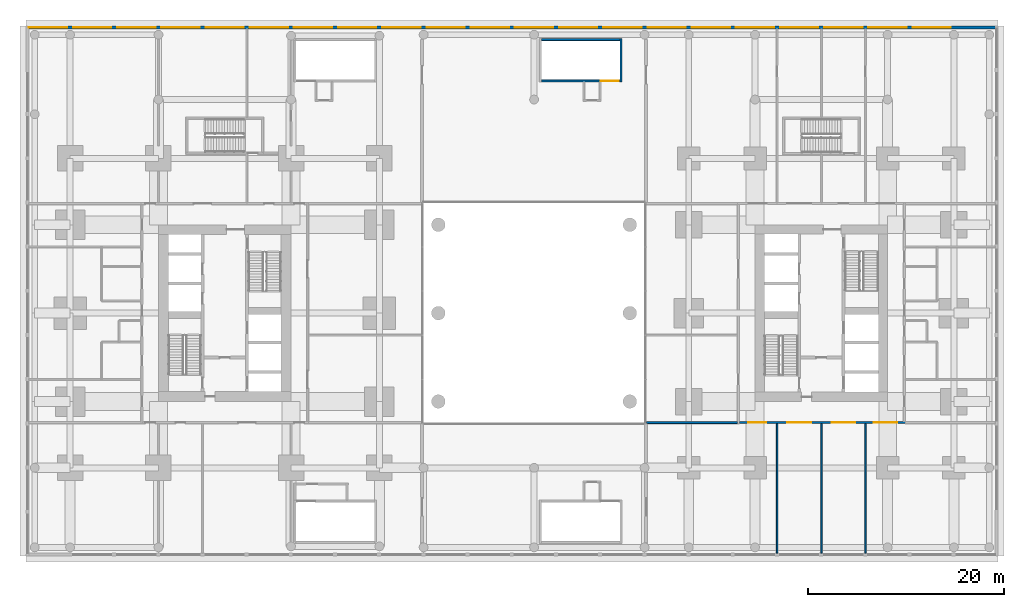
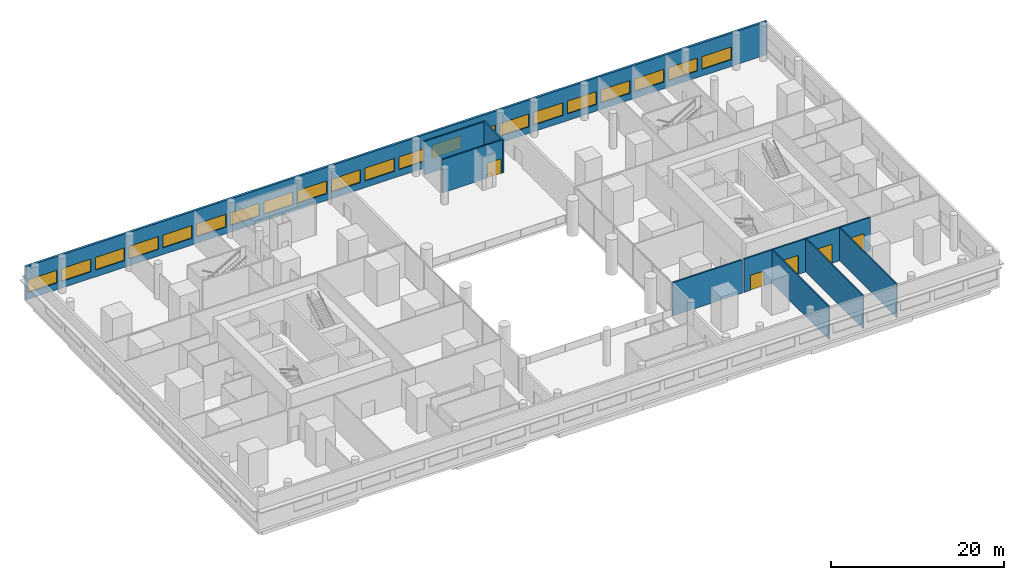
# One storey, part 14 of 20: 21 windows, 9 walls, 5 doors, 26 openings.
"""IFC4 building model written with IfcOpenShell, lengths in metres."""

from ifc_helpers import new_model, si_unit, direction, frame, frame_2d, origin, place, context, subcontext, project, spatial, rectangle, extrude, material, layer, layer_set, type_object, element, fill, save


model = new_model("IFC4")

# Units and contexts
model_context = context("Model", 3, precision=1e-05, world=origin(), true_north=direction((0.0, 1.0)))
body_context = subcontext(model_context, "Body", "Model", "MODEL_VIEW")
ifc_project = project(units=[si_unit("LENGTHUNIT", "METRE"), si_unit("AREAUNIT", "SQUARE_METRE"), si_unit("VOLUMEUNIT", "CUBIC_METRE"), si_unit("PLANEANGLEUNIT", "RADIAN"), si_unit("MASSUNIT", "GRAM", prefix="KILO")], contexts=[model_context])

# Site, building, storey
site_placement = place(None, origin())
site = spatial("IfcSite", under=ifc_project, at=site_placement, CompositionType="ELEMENT")
building_placement = place(site_placement, origin())
building = spatial("IfcBuilding", under=site, at=building_placement, Name="Namib Vertical Campus", CompositionType="ELEMENT")
storey_placement = place(building_placement, frame((0.0, 0.0, 16.0)))
storey = spatial("IfcBuildingStorey", under=building, at=storey_placement, Name="L03", CompositionType="ELEMENT", Elevation=16.0)

# Wall, openings, doors
ifc_material_1 = material(Name="Concrete masonry", Category="masonry")
ifc_layer_1 = layer(ifc_material_1, 0.199951171875)
ifc_layer_set_1 = layer_set([ifc_layer_1], Name="Corridor wall 200")
wall_type_1 = type_object("IfcWallType", Name="Corridor wall 200", PredefinedType="SOLIDWALL", material=ifc_layer_set_1)
wall_1_placement = place(storey_placement, frame((72.64990234375, 9.10009765625, 0.0), z_axis=(0.0, 0.0, 1.0), x_axis=(1.0, 0.0, 0.0)))
wall_1 = element("IfcWall", 1, at=wall_1_placement, inside=storey, type_object=wall_type_1, Name="Corridor wall B L03 CS", PredefinedType="SOLIDWALL", context=body_context, shape_type="SweptSolid", body=[
    extrude(rectangle(XDim=16.900146484375, YDim=0.199951171875, at=frame_2d((8.4501953125, 0.0))), origin(), (0.0, 0.0, 1.0), 4.699951171875),
])
opening_1_placement = place(wall_1_placement, frame((0.925048828125, 0.0, 0.0)))
opening_1 = element("IfcOpeningElement", 2, at=opening_1_placement, cuts=wall_1, Name="Opening CD2", PredefinedType="OPENING", context=body_context, shape_type="SweptSolid", body=[
    extrude(rectangle(XDim=1.800048828125, YDim=2.10009765625, at=frame_2d((0.89990234375, 1.050048828125))), frame((0.0, 0.10986328125, 0.0), z_axis=(0.0, -1.0, 0.0), x_axis=(1.0, 0.0, 0.0)), (0.0, 0.0, 1.0), 0.219970703125),
])
opening_2_placement = place(wall_1_placement, frame((4.89990234375, 0.0, 0.0)))
opening_2 = element("IfcOpeningElement", 3, at=opening_2_placement, cuts=wall_1, Name="Opening PD1", PredefinedType="OPENING", context=body_context, shape_type="SweptSolid", body=[
    extrude(rectangle(XDim=2.39990234375, YDim=2.699951171875, at=frame_2d((1.199951171875, 1.35009765625))), frame((0.0, 0.10986328125, 0.0), z_axis=(0.0, -1.0, 0.0), x_axis=(1.0, 0.0, 0.0)), (0.0, 0.0, 1.0), 0.219970703125),
])
opening_3_placement = place(wall_1_placement, frame((9.39990234375, 0.0, 0.0)))
opening_3 = element("IfcOpeningElement", 4, at=opening_3_placement, cuts=wall_1, Name="Opening PD1", PredefinedType="OPENING", context=body_context, shape_type="SweptSolid", body=[
    extrude(rectangle(XDim=2.39990234375, YDim=2.699951171875, at=frame_2d((1.199951171875, 1.35009765625))), frame((0.0, 0.10986328125, 0.0), z_axis=(0.0, -1.0, 0.0), x_axis=(1.0, 0.0, 0.0)), (0.0, 0.0, 1.0), 0.219970703125),
])
opening_4_placement = place(wall_1_placement, frame((13.675048828125, 0.0, 0.0)))
opening_4 = element("IfcOpeningElement", 5, at=opening_4_placement, cuts=wall_1, Name="Opening PD1", PredefinedType="OPENING", context=body_context, shape_type="SweptSolid", body=[
    extrude(rectangle(XDim=2.39990234375, YDim=2.699951171875, at=frame_2d((1.199951171875, 1.35009765625))), frame((0.0, 0.10986328125, 0.0), z_axis=(0.0, -1.0, 0.0), x_axis=(1.0, 0.0, 0.0)), (0.0, 0.0, 1.0), 0.219970703125),
])
ifc_material_2 = material(Name="Timber fire door leaf", Category="wood")
door_type_1 = type_object("IfcDoorType", Name="Corridor door double 1800x2100 20 min", OperationType="DOUBLE_DOOR_SINGLE_SWING", PredefinedType="DOOR", material=ifc_material_2)
door_1_placement = place(opening_1_placement, frame((1.800048828125, 0.0, 0.0), z_axis=(0.0, 0.0, 1.0), x_axis=(-1.0, 0.0, 0.0)))
door_1 = element("IfcDoor", 6, at=door_1_placement, inside=storey, type_object=door_type_1, Name="Door CD2 B03-01", OperationType="DOUBLE_DOOR_SINGLE_SWING", OverallHeight=2.10009765625, OverallWidth=1.800048828125, PredefinedType="DOOR", context=body_context, shape_type="SweptSolid", body=[
    extrude(rectangle(XDim=1.800048828125, YDim=2.10009765625, at=frame_2d((0.89990234375, 1.050048828125))), frame((0.0, 0.02490234375, 0.0), z_axis=(0.0, -1.0, 0.0), x_axis=(1.0, 0.0, 0.0)), (0.0, 0.0, 1.0), 0.050048828125),
])
fill(opening_1, door_1)
ifc_material_3 = material(Name="Steel fire door", Category="steel")
door_type_2 = type_object("IfcDoorType", Name="Plant room door pair 2400x2700 60 min", OperationType="DOUBLE_DOOR_SINGLE_SWING", PredefinedType="DOOR", material=ifc_material_3)
door_2_placement = place(opening_2_placement, frame((2.39990234375, 0.0, 0.0), z_axis=(0.0, 0.0, 1.0), x_axis=(-1.0, 0.0, 0.0)))
door_2 = element("IfcDoor", 7, at=door_2_placement, inside=storey, type_object=door_type_2, Name="Door PD1 B03-02", OperationType="DOUBLE_DOOR_SINGLE_SWING", OverallHeight=2.699951171875, OverallWidth=2.39990234375, PredefinedType="DOOR", context=body_context, shape_type="SweptSolid", body=[
    extrude(rectangle(XDim=2.39990234375, YDim=2.699951171875, at=frame_2d((1.199951171875, 1.35009765625))), frame((0.0, 0.02490234375, 0.0), z_axis=(0.0, -1.0, 0.0), x_axis=(1.0, 0.0, 0.0)), (0.0, 0.0, 1.0), 0.050048828125),
])
fill(opening_2, door_2)
door_3_placement = place(opening_3_placement, frame((2.39990234375, 0.0, 0.0), z_axis=(0.0, 0.0, 1.0), x_axis=(-1.0, 0.0, 0.0)))
door_3 = element("IfcDoor", 8, at=door_3_placement, inside=storey, type_object=door_type_2, Name="Door PD1 B03-03", OperationType="DOUBLE_DOOR_SINGLE_SWING", OverallHeight=2.699951171875, OverallWidth=2.39990234375, PredefinedType="DOOR", context=body_context, shape_type="SweptSolid", body=[
    extrude(rectangle(XDim=2.39990234375, YDim=2.699951171875, at=frame_2d((1.199951171875, 1.35009765625))), frame((0.0, 0.02490234375, 0.0), z_axis=(0.0, -1.0, 0.0), x_axis=(1.0, 0.0, 0.0)), (0.0, 0.0, 1.0), 0.050048828125),
])
fill(opening_3, door_3)
door_4_placement = place(opening_4_placement, frame((2.39990234375, 0.0, 0.0), z_axis=(0.0, 0.0, 1.0), x_axis=(-1.0, 0.0, 0.0)))
door_4 = element("IfcDoor", 9, at=door_4_placement, inside=storey, type_object=door_type_2, Name="Door PD1 B03-04", OperationType="DOUBLE_DOOR_SINGLE_SWING", OverallHeight=2.699951171875, OverallWidth=2.39990234375, PredefinedType="DOOR", context=body_context, shape_type="SweptSolid", body=[
    extrude(rectangle(XDim=2.39990234375, YDim=2.699951171875, at=frame_2d((1.199951171875, 1.35009765625))), frame((0.0, 0.02490234375, 0.0), z_axis=(0.0, -1.0, 0.0), x_axis=(1.0, 0.0, 0.0)), (0.0, 0.0, 1.0), 0.050048828125),
])
fill(opening_4, door_4)

# Wall
wall_2_placement = place(storey_placement, frame((63.179931640625, 9.10009765625, 0.0), z_axis=(0.0, 0.0, 1.0), x_axis=(1.0, 0.0, 0.0)))
element("IfcWall", 10, at=wall_2_placement, inside=storey, type_object=wall_type_1, Name="Partition B L03 BSW", PredefinedType="SOLIDWALL", context=body_context, shape_type="SweptSolid", body=[
    extrude(rectangle(XDim=9.27001953125, YDim=0.199951171875, at=frame_2d((4.635009765625, 0.0))), origin(), (0.0, 0.0, 1.0), 4.699951171875),
])

# Wall, openings, windows
ifc_material_4 = material(Name="Concrete C40/50", Category="concrete")
ifc_layer_2 = layer(ifc_material_4, 0.300048828125)
ifc_layer_set_2 = layer_set([ifc_layer_2], Name="Concrete C40/50")
wall_type_2 = type_object("IfcWallType", Name="External wall 300 board-marked concrete", PredefinedType="STANDARD", material=ifc_layer_set_2)
wall_3_placement = place(storey_placement, frame((98.97998046875, 49.35009765625, 0.0), z_axis=(0.0, 0.0, 1.0), x_axis=(-1.0, 0.0, 0.0)))
wall_3 = element("IfcWall", 11, at=wall_3_placement, inside=storey, type_object=wall_type_2, Name="External wall L03 F3", PredefinedType="STANDARD", context=body_context, shape_type="SweptSolid", body=[
    extrude(rectangle(XDim=98.9599609375, YDim=0.300048828125, at=frame_2d((49.47998046875, 0.0))), origin(), (0.0, 0.0, 1.0), 4.699951171875),
])
opening_5_placement = place(wall_3_placement, frame((94.780029296875, 0.0, 0.949951171875)))
opening_5 = element("IfcOpeningElement", 12, at=opening_5_placement, cuts=wall_3, Name="Opening W3", PredefinedType="OPENING", context=body_context, shape_type="SweptSolid", body=[
    extrude(rectangle(XDim=3.89990234375, YDim=1.800048828125, at=frame_2d((1.949951171875, 0.89990234375))), frame((0.0, 0.159912109375, 0.0), z_axis=(0.0, -1.0, 0.0), x_axis=(1.0, 0.0, 0.0)), (0.0, 0.0, 1.0), 0.320068359375),
])
opening_6_placement = place(wall_3_placement, frame((90.280029296875, 0.0, 0.949951171875)))
opening_6 = element("IfcOpeningElement", 13, at=opening_6_placement, cuts=wall_3, Name="Opening W3", PredefinedType="OPENING", context=body_context, shape_type="SweptSolid", body=[
    extrude(rectangle(XDim=3.89990234375, YDim=1.800048828125, at=frame_2d((1.949951171875, 0.89990234375))), frame((0.0, 0.159912109375, 0.0), z_axis=(0.0, -1.0, 0.0), x_axis=(1.0, 0.0, 0.0)), (0.0, 0.0, 1.0), 0.320068359375),
])
opening_7_placement = place(wall_3_placement, frame((85.780029296875, 0.0, 0.949951171875)))
opening_7 = element("IfcOpeningElement", 14, at=opening_7_placement, cuts=wall_3, Name="Opening W3", PredefinedType="OPENING", context=body_context, shape_type="SweptSolid", body=[
    extrude(rectangle(XDim=3.89990234375, YDim=1.800048828125, at=frame_2d((1.949951171875, 0.89990234375))), frame((0.0, 0.159912109375, 0.0), z_axis=(0.0, -1.0, 0.0), x_axis=(1.0, 0.0, 0.0)), (0.0, 0.0, 1.0), 0.320068359375),
])
opening_8_placement = place(wall_3_placement, frame((81.280029296875, 0.0, 0.949951171875)))
opening_8 = element("IfcOpeningElement", 15, at=opening_8_placement, cuts=wall_3, Name="Opening W3", PredefinedType="OPENING", context=body_context, shape_type="SweptSolid", body=[
    extrude(rectangle(XDim=3.89990234375, YDim=1.800048828125, at=frame_2d((1.949951171875, 0.89990234375))), frame((0.0, 0.159912109375, 0.0), z_axis=(0.0, -1.0, 0.0), x_axis=(1.0, 0.0, 0.0)), (0.0, 0.0, 1.0), 0.320068359375),
])
opening_9_placement = place(wall_3_placement, frame((76.780029296875, 0.0, 0.949951171875)))
opening_9 = element("IfcOpeningElement", 16, at=opening_9_placement, cuts=wall_3, Name="Opening W3", PredefinedType="OPENING", context=body_context, shape_type="SweptSolid", body=[
    extrude(rectangle(XDim=3.89990234375, YDim=1.800048828125, at=frame_2d((1.949951171875, 0.89990234375))), frame((0.0, 0.159912109375, 0.0), z_axis=(0.0, -1.0, 0.0), x_axis=(1.0, 0.0, 0.0)), (0.0, 0.0, 1.0), 0.320068359375),
])
opening_10_placement = place(wall_3_placement, frame((72.280029296875, 0.0, 0.949951171875)))
opening_10 = element("IfcOpeningElement", 17, at=opening_10_placement, cuts=wall_3, Name="Opening W3", PredefinedType="OPENING", context=body_context, shape_type="SweptSolid", body=[
    extrude(rectangle(XDim=3.89990234375, YDim=1.800048828125, at=frame_2d((1.949951171875, 0.89990234375))), frame((0.0, 0.159912109375, 0.0), z_axis=(0.0, -1.0, 0.0), x_axis=(1.0, 0.0, 0.0)), (0.0, 0.0, 1.0), 0.320068359375),
])
opening_11_placement = place(wall_3_placement, frame((67.780029296875, 0.0, 0.949951171875)))
opening_11 = element("IfcOpeningElement", 18, at=opening_11_placement, cuts=wall_3, Name="Opening W3", PredefinedType="OPENING", context=body_context, shape_type="SweptSolid", body=[
    extrude(rectangle(XDim=3.89990234375, YDim=1.800048828125, at=frame_2d((1.949951171875, 0.89990234375))), frame((0.0, 0.159912109375, 0.0), z_axis=(0.0, -1.0, 0.0), x_axis=(1.0, 0.0, 0.0)), (0.0, 0.0, 1.0), 0.320068359375),
])
opening_12_placement = place(wall_3_placement, frame((63.280029296875, 0.0, 0.949951171875)))
opening_12 = element("IfcOpeningElement", 19, at=opening_12_placement, cuts=wall_3, Name="Opening W3", PredefinedType="OPENING", context=body_context, shape_type="SweptSolid", body=[
    extrude(rectangle(XDim=3.89990234375, YDim=1.800048828125, at=frame_2d((1.949951171875, 0.89990234375))), frame((0.0, 0.159912109375, 0.0), z_axis=(0.0, -1.0, 0.0), x_axis=(1.0, 0.0, 0.0)), (0.0, 0.0, 1.0), 0.320068359375),
])
opening_13_placement = place(wall_3_placement, frame((58.780029296875, 0.0, 0.949951171875)))
opening_13 = element("IfcOpeningElement", 20, at=opening_13_placement, cuts=wall_3, Name="Opening W3", PredefinedType="OPENING", context=body_context, shape_type="SweptSolid", body=[
    extrude(rectangle(XDim=3.89990234375, YDim=1.800048828125, at=frame_2d((1.949951171875, 0.89990234375))), frame((0.0, 0.159912109375, 0.0), z_axis=(0.0, -1.0, 0.0), x_axis=(1.0, 0.0, 0.0)), (0.0, 0.0, 1.0), 0.320068359375),
])
opening_14_placement = place(wall_3_placement, frame((54.280029296875, 0.0, 0.949951171875)))
opening_14 = element("IfcOpeningElement", 21, at=opening_14_placement, cuts=wall_3, Name="Opening W3", PredefinedType="OPENING", context=body_context, shape_type="SweptSolid", body=[
    extrude(rectangle(XDim=3.89990234375, YDim=1.800048828125, at=frame_2d((1.949951171875, 0.89990234375))), frame((0.0, 0.159912109375, 0.0), z_axis=(0.0, -1.0, 0.0), x_axis=(1.0, 0.0, 0.0)), (0.0, 0.0, 1.0), 0.320068359375),
])
opening_15_placement = place(wall_3_placement, frame((49.780029296875, 0.0, 0.949951171875)))
opening_15 = element("IfcOpeningElement", 22, at=opening_15_placement, cuts=wall_3, Name="Opening W3", PredefinedType="OPENING", context=body_context, shape_type="SweptSolid", body=[
    extrude(rectangle(XDim=3.89990234375, YDim=1.800048828125, at=frame_2d((1.949951171875, 0.89990234375))), frame((0.0, 0.159912109375, 0.0), z_axis=(0.0, -1.0, 0.0), x_axis=(1.0, 0.0, 0.0)), (0.0, 0.0, 1.0), 0.320068359375),
])
opening_16_placement = place(wall_3_placement, frame((45.280029296875, 0.0, 0.949951171875)))
opening_16 = element("IfcOpeningElement", 23, at=opening_16_placement, cuts=wall_3, Name="Opening W3", PredefinedType="OPENING", context=body_context, shape_type="SweptSolid", body=[
    extrude(rectangle(XDim=3.89990234375, YDim=1.800048828125, at=frame_2d((1.949951171875, 0.89990234375))), frame((0.0, 0.159912109375, 0.0), z_axis=(0.0, -1.0, 0.0), x_axis=(1.0, 0.0, 0.0)), (0.0, 0.0, 1.0), 0.320068359375),
])
opening_17_placement = place(wall_3_placement, frame((40.780029296875, 0.0, 0.949951171875)))
opening_17 = element("IfcOpeningElement", 24, at=opening_17_placement, cuts=wall_3, Name="Opening W3", PredefinedType="OPENING", context=body_context, shape_type="SweptSolid", body=[
    extrude(rectangle(XDim=3.89990234375, YDim=1.800048828125, at=frame_2d((1.949951171875, 0.89990234375))), frame((0.0, 0.159912109375, 0.0), z_axis=(0.0, -1.0, 0.0), x_axis=(1.0, 0.0, 0.0)), (0.0, 0.0, 1.0), 0.320068359375),
])
opening_18_placement = place(wall_3_placement, frame((36.280029296875, 0.0, 0.949951171875)))
opening_18 = element("IfcOpeningElement", 25, at=opening_18_placement, cuts=wall_3, Name="Opening W3", PredefinedType="OPENING", context=body_context, shape_type="SweptSolid", body=[
    extrude(rectangle(XDim=3.89990234375, YDim=1.800048828125, at=frame_2d((1.949951171875, 0.89990234375))), frame((0.0, 0.159912109375, 0.0), z_axis=(0.0, -1.0, 0.0), x_axis=(1.0, 0.0, 0.0)), (0.0, 0.0, 1.0), 0.320068359375),
])
opening_19_placement = place(wall_3_placement, frame((31.780029296875, 0.0, 0.949951171875)))
opening_19 = element("IfcOpeningElement", 26, at=opening_19_placement, cuts=wall_3, Name="Opening W3", PredefinedType="OPENING", context=body_context, shape_type="SweptSolid", body=[
    extrude(rectangle(XDim=3.89990234375, YDim=1.800048828125, at=frame_2d((1.949951171875, 0.89990234375))), frame((0.0, 0.159912109375, 0.0), z_axis=(0.0, -1.0, 0.0), x_axis=(1.0, 0.0, 0.0)), (0.0, 0.0, 1.0), 0.320068359375),
])
opening_20_placement = place(wall_3_placement, frame((27.280029296875, 0.0, 0.949951171875)))
opening_20 = element("IfcOpeningElement", 27, at=opening_20_placement, cuts=wall_3, Name="Opening W3", PredefinedType="OPENING", context=body_context, shape_type="SweptSolid", body=[
    extrude(rectangle(XDim=3.89990234375, YDim=1.800048828125, at=frame_2d((1.949951171875, 0.89990234375))), frame((0.0, 0.159912109375, 0.0), z_axis=(0.0, -1.0, 0.0), x_axis=(1.0, 0.0, 0.0)), (0.0, 0.0, 1.0), 0.320068359375),
])
opening_21_placement = place(wall_3_placement, frame((22.780029296875, 0.0, 0.949951171875)))
opening_21 = element("IfcOpeningElement", 28, at=opening_21_placement, cuts=wall_3, Name="Opening W3", PredefinedType="OPENING", context=body_context, shape_type="SweptSolid", body=[
    extrude(rectangle(XDim=3.89990234375, YDim=1.800048828125, at=frame_2d((1.949951171875, 0.89990234375))), frame((0.0, 0.159912109375, 0.0), z_axis=(0.0, -1.0, 0.0), x_axis=(1.0, 0.0, 0.0)), (0.0, 0.0, 1.0), 0.320068359375),
])
opening_22_placement = place(wall_3_placement, frame((18.280029296875, 0.0, 0.949951171875)))
opening_22 = element("IfcOpeningElement", 29, at=opening_22_placement, cuts=wall_3, Name="Opening W3", PredefinedType="OPENING", context=body_context, shape_type="SweptSolid", body=[
    extrude(rectangle(XDim=3.89990234375, YDim=1.800048828125, at=frame_2d((1.949951171875, 0.89990234375))), frame((0.0, 0.159912109375, 0.0), z_axis=(0.0, -1.0, 0.0), x_axis=(1.0, 0.0, 0.0)), (0.0, 0.0, 1.0), 0.320068359375),
])
opening_23_placement = place(wall_3_placement, frame((13.780029296875, 0.0, 0.949951171875)))
opening_23 = element("IfcOpeningElement", 30, at=opening_23_placement, cuts=wall_3, Name="Opening W3", PredefinedType="OPENING", context=body_context, shape_type="SweptSolid", body=[
    extrude(rectangle(XDim=3.89990234375, YDim=1.800048828125, at=frame_2d((1.949951171875, 0.89990234375))), frame((0.0, 0.159912109375, 0.0), z_axis=(0.0, -1.0, 0.0), x_axis=(1.0, 0.0, 0.0)), (0.0, 0.0, 1.0), 0.320068359375),
])
opening_24_placement = place(wall_3_placement, frame((9.280029296875, 0.0, 0.949951171875)))
opening_24 = element("IfcOpeningElement", 31, at=opening_24_placement, cuts=wall_3, Name="Opening W3", PredefinedType="OPENING", context=body_context, shape_type="SweptSolid", body=[
    extrude(rectangle(XDim=3.89990234375, YDim=1.800048828125, at=frame_2d((1.949951171875, 0.89990234375))), frame((0.0, 0.159912109375, 0.0), z_axis=(0.0, -1.0, 0.0), x_axis=(1.0, 0.0, 0.0)), (0.0, 0.0, 1.0), 0.320068359375),
])
opening_25_placement = place(wall_3_placement, frame((4.780029296875, 0.0, 0.949951171875)))
opening_25 = element("IfcOpeningElement", 32, at=opening_25_placement, cuts=wall_3, Name="Opening W3", PredefinedType="OPENING", context=body_context, shape_type="SweptSolid", body=[
    extrude(rectangle(XDim=3.89990234375, YDim=1.800048828125, at=frame_2d((1.949951171875, 0.89990234375))), frame((0.0, 0.159912109375, 0.0), z_axis=(0.0, -1.0, 0.0), x_axis=(1.0, 0.0, 0.0)), (0.0, 0.0, 1.0), 0.320068359375),
])
ifc_material_5 = material(Name="Dark tinted glass in black aluminium frame", Category="aluminium")
window_type = type_object("IfcWindowType", Name="Ribbon window 3900x1800", PartitioningType="SINGLE_PANEL", PredefinedType="WINDOW", material=ifc_material_5)
window_1_placement = place(opening_5_placement, origin())
window_1 = element("IfcWindow", 33, at=window_1_placement, inside=storey, type_object=window_type, Name="Window W3 L03 F3-1", OverallHeight=1.800048828125, OverallWidth=3.89990234375, PartitioningType="SINGLE_PANEL", PredefinedType="WINDOW", context=body_context, shape_type="SweptSolid", body=[
    extrude(rectangle(XDim=3.89990234375, YDim=1.800048828125, at=frame_2d((1.949951171875, 0.89990234375))), frame((0.0, 0.030029296875, 0.0), z_axis=(0.0, -1.0, 0.0), x_axis=(1.0, 0.0, 0.0)), (0.0, 0.0, 1.0), 0.06005859375),
])
fill(opening_5, window_1)
window_2_placement = place(opening_6_placement, origin())
window_2 = element("IfcWindow", 34, at=window_2_placement, inside=storey, type_object=window_type, Name="Window W3 L03 F3-2", OverallHeight=1.800048828125, OverallWidth=3.89990234375, PartitioningType="SINGLE_PANEL", PredefinedType="WINDOW", context=body_context, shape_type="SweptSolid", body=[
    extrude(rectangle(XDim=3.89990234375, YDim=1.800048828125, at=frame_2d((1.949951171875, 0.89990234375))), frame((0.0, 0.030029296875, 0.0), z_axis=(0.0, -1.0, 0.0), x_axis=(1.0, 0.0, 0.0)), (0.0, 0.0, 1.0), 0.06005859375),
])
fill(opening_6, window_2)
window_3_placement = place(opening_7_placement, origin())
window_3 = element("IfcWindow", 35, at=window_3_placement, inside=storey, type_object=window_type, Name="Window W3 L03 F3-3", OverallHeight=1.800048828125, OverallWidth=3.89990234375, PartitioningType="SINGLE_PANEL", PredefinedType="WINDOW", context=body_context, shape_type="SweptSolid", body=[
    extrude(rectangle(XDim=3.89990234375, YDim=1.800048828125, at=frame_2d((1.949951171875, 0.89990234375))), frame((0.0, 0.030029296875, 0.0), z_axis=(0.0, -1.0, 0.0), x_axis=(1.0, 0.0, 0.0)), (0.0, 0.0, 1.0), 0.06005859375),
])
fill(opening_7, window_3)
window_4_placement = place(opening_8_placement, origin())
window_4 = element("IfcWindow", 36, at=window_4_placement, inside=storey, type_object=window_type, Name="Window W3 L03 F3-4", OverallHeight=1.800048828125, OverallWidth=3.89990234375, PartitioningType="SINGLE_PANEL", PredefinedType="WINDOW", context=body_context, shape_type="SweptSolid", body=[
    extrude(rectangle(XDim=3.89990234375, YDim=1.800048828125, at=frame_2d((1.949951171875, 0.89990234375))), frame((0.0, 0.030029296875, 0.0), z_axis=(0.0, -1.0, 0.0), x_axis=(1.0, 0.0, 0.0)), (0.0, 0.0, 1.0), 0.06005859375),
])
fill(opening_8, window_4)
window_5_placement = place(opening_9_placement, origin())
window_5 = element("IfcWindow", 37, at=window_5_placement, inside=storey, type_object=window_type, Name="Window W3 L03 F3-5", OverallHeight=1.800048828125, OverallWidth=3.89990234375, PartitioningType="SINGLE_PANEL", PredefinedType="WINDOW", context=body_context, shape_type="SweptSolid", body=[
    extrude(rectangle(XDim=3.89990234375, YDim=1.800048828125, at=frame_2d((1.949951171875, 0.89990234375))), frame((0.0, 0.030029296875, 0.0), z_axis=(0.0, -1.0, 0.0), x_axis=(1.0, 0.0, 0.0)), (0.0, 0.0, 1.0), 0.06005859375),
])
fill(opening_9, window_5)
window_6_placement = place(opening_10_placement, origin())
window_6 = element("IfcWindow", 38, at=window_6_placement, inside=storey, type_object=window_type, Name="Window W3 L03 F3-6", OverallHeight=1.800048828125, OverallWidth=3.89990234375, PartitioningType="SINGLE_PANEL", PredefinedType="WINDOW", context=body_context, shape_type="SweptSolid", body=[
    extrude(rectangle(XDim=3.89990234375, YDim=1.800048828125, at=frame_2d((1.949951171875, 0.89990234375))), frame((0.0, 0.030029296875, 0.0), z_axis=(0.0, -1.0, 0.0), x_axis=(1.0, 0.0, 0.0)), (0.0, 0.0, 1.0), 0.06005859375),
])
fill(opening_10, window_6)
window_7_placement = place(opening_11_placement, origin())
window_7 = element("IfcWindow", 39, at=window_7_placement, inside=storey, type_object=window_type, Name="Window W3 L03 F3-7", OverallHeight=1.800048828125, OverallWidth=3.89990234375, PartitioningType="SINGLE_PANEL", PredefinedType="WINDOW", context=body_context, shape_type="SweptSolid", body=[
    extrude(rectangle(XDim=3.89990234375, YDim=1.800048828125, at=frame_2d((1.949951171875, 0.89990234375))), frame((0.0, 0.030029296875, 0.0), z_axis=(0.0, -1.0, 0.0), x_axis=(1.0, 0.0, 0.0)), (0.0, 0.0, 1.0), 0.06005859375),
])
fill(opening_11, window_7)
window_8_placement = place(opening_12_placement, origin())
window_8 = element("IfcWindow", 40, at=window_8_placement, inside=storey, type_object=window_type, Name="Window W3 L03 F3-8", OverallHeight=1.800048828125, OverallWidth=3.89990234375, PartitioningType="SINGLE_PANEL", PredefinedType="WINDOW", context=body_context, shape_type="SweptSolid", body=[
    extrude(rectangle(XDim=3.89990234375, YDim=1.800048828125, at=frame_2d((1.949951171875, 0.89990234375))), frame((0.0, 0.030029296875, 0.0), z_axis=(0.0, -1.0, 0.0), x_axis=(1.0, 0.0, 0.0)), (0.0, 0.0, 1.0), 0.06005859375),
])
fill(opening_12, window_8)
window_9_placement = place(opening_13_placement, origin())
window_9 = element("IfcWindow", 41, at=window_9_placement, inside=storey, type_object=window_type, Name="Window W3 L03 F3-9", OverallHeight=1.800048828125, OverallWidth=3.89990234375, PartitioningType="SINGLE_PANEL", PredefinedType="WINDOW", context=body_context, shape_type="SweptSolid", body=[
    extrude(rectangle(XDim=3.89990234375, YDim=1.800048828125, at=frame_2d((1.949951171875, 0.89990234375))), frame((0.0, 0.030029296875, 0.0), z_axis=(0.0, -1.0, 0.0), x_axis=(1.0, 0.0, 0.0)), (0.0, 0.0, 1.0), 0.06005859375),
])
fill(opening_13, window_9)
window_10_placement = place(opening_14_placement, origin())
window_10 = element("IfcWindow", 42, at=window_10_placement, inside=storey, type_object=window_type, Name="Window W3 L03 F3-10", OverallHeight=1.800048828125, OverallWidth=3.89990234375, PartitioningType="SINGLE_PANEL", PredefinedType="WINDOW", context=body_context, shape_type="SweptSolid", body=[
    extrude(rectangle(XDim=3.89990234375, YDim=1.800048828125, at=frame_2d((1.949951171875, 0.89990234375))), frame((0.0, 0.030029296875, 0.0), z_axis=(0.0, -1.0, 0.0), x_axis=(1.0, 0.0, 0.0)), (0.0, 0.0, 1.0), 0.06005859375),
])
fill(opening_14, window_10)
window_11_placement = place(opening_15_placement, origin())
window_11 = element("IfcWindow", 43, at=window_11_placement, inside=storey, type_object=window_type, Name="Window W3 L03 F3-11", OverallHeight=1.800048828125, OverallWidth=3.89990234375, PartitioningType="SINGLE_PANEL", PredefinedType="WINDOW", context=body_context, shape_type="SweptSolid", body=[
    extrude(rectangle(XDim=3.89990234375, YDim=1.800048828125, at=frame_2d((1.949951171875, 0.89990234375))), frame((0.0, 0.030029296875, 0.0), z_axis=(0.0, -1.0, 0.0), x_axis=(1.0, 0.0, 0.0)), (0.0, 0.0, 1.0), 0.06005859375),
])
fill(opening_15, window_11)
window_12_placement = place(opening_16_placement, origin())
window_12 = element("IfcWindow", 44, at=window_12_placement, inside=storey, type_object=window_type, Name="Window W3 L03 F3-12", OverallHeight=1.800048828125, OverallWidth=3.89990234375, PartitioningType="SINGLE_PANEL", PredefinedType="WINDOW", context=body_context, shape_type="SweptSolid", body=[
    extrude(rectangle(XDim=3.89990234375, YDim=1.800048828125, at=frame_2d((1.949951171875, 0.89990234375))), frame((0.0, 0.030029296875, 0.0), z_axis=(0.0, -1.0, 0.0), x_axis=(1.0, 0.0, 0.0)), (0.0, 0.0, 1.0), 0.06005859375),
])
fill(opening_16, window_12)
window_13_placement = place(opening_17_placement, origin())
window_13 = element("IfcWindow", 45, at=window_13_placement, inside=storey, type_object=window_type, Name="Window W3 L03 F3-13", OverallHeight=1.800048828125, OverallWidth=3.89990234375, PartitioningType="SINGLE_PANEL", PredefinedType="WINDOW", context=body_context, shape_type="SweptSolid", body=[
    extrude(rectangle(XDim=3.89990234375, YDim=1.800048828125, at=frame_2d((1.949951171875, 0.89990234375))), frame((0.0, 0.030029296875, 0.0), z_axis=(0.0, -1.0, 0.0), x_axis=(1.0, 0.0, 0.0)), (0.0, 0.0, 1.0), 0.06005859375),
])
fill(opening_17, window_13)
window_14_placement = place(opening_18_placement, origin())
window_14 = element("IfcWindow", 46, at=window_14_placement, inside=storey, type_object=window_type, Name="Window W3 L03 F3-14", OverallHeight=1.800048828125, OverallWidth=3.89990234375, PartitioningType="SINGLE_PANEL", PredefinedType="WINDOW", context=body_context, shape_type="SweptSolid", body=[
    extrude(rectangle(XDim=3.89990234375, YDim=1.800048828125, at=frame_2d((1.949951171875, 0.89990234375))), frame((0.0, 0.030029296875, 0.0), z_axis=(0.0, -1.0, 0.0), x_axis=(1.0, 0.0, 0.0)), (0.0, 0.0, 1.0), 0.06005859375),
])
fill(opening_18, window_14)
window_15_placement = place(opening_19_placement, origin())
window_15 = element("IfcWindow", 47, at=window_15_placement, inside=storey, type_object=window_type, Name="Window W3 L03 F3-15", OverallHeight=1.800048828125, OverallWidth=3.89990234375, PartitioningType="SINGLE_PANEL", PredefinedType="WINDOW", context=body_context, shape_type="SweptSolid", body=[
    extrude(rectangle(XDim=3.89990234375, YDim=1.800048828125, at=frame_2d((1.949951171875, 0.89990234375))), frame((0.0, 0.030029296875, 0.0), z_axis=(0.0, -1.0, 0.0), x_axis=(1.0, 0.0, 0.0)), (0.0, 0.0, 1.0), 0.06005859375),
])
fill(opening_19, window_15)
window_16_placement = place(opening_20_placement, origin())
window_16 = element("IfcWindow", 48, at=window_16_placement, inside=storey, type_object=window_type, Name="Window W3 L03 F3-16", OverallHeight=1.800048828125, OverallWidth=3.89990234375, PartitioningType="SINGLE_PANEL", PredefinedType="WINDOW", context=body_context, shape_type="SweptSolid", body=[
    extrude(rectangle(XDim=3.89990234375, YDim=1.800048828125, at=frame_2d((1.949951171875, 0.89990234375))), frame((0.0, 0.030029296875, 0.0), z_axis=(0.0, -1.0, 0.0), x_axis=(1.0, 0.0, 0.0)), (0.0, 0.0, 1.0), 0.06005859375),
])
fill(opening_20, window_16)
window_17_placement = place(opening_21_placement, origin())
window_17 = element("IfcWindow", 49, at=window_17_placement, inside=storey, type_object=window_type, Name="Window W3 L03 F3-17", OverallHeight=1.800048828125, OverallWidth=3.89990234375, PartitioningType="SINGLE_PANEL", PredefinedType="WINDOW", context=body_context, shape_type="SweptSolid", body=[
    extrude(rectangle(XDim=3.89990234375, YDim=1.800048828125, at=frame_2d((1.949951171875, 0.89990234375))), frame((0.0, 0.030029296875, 0.0), z_axis=(0.0, -1.0, 0.0), x_axis=(1.0, 0.0, 0.0)), (0.0, 0.0, 1.0), 0.06005859375),
])
fill(opening_21, window_17)
window_18_placement = place(opening_22_placement, origin())
window_18 = element("IfcWindow", 50, at=window_18_placement, inside=storey, type_object=window_type, Name="Window W3 L03 F3-18", OverallHeight=1.800048828125, OverallWidth=3.89990234375, PartitioningType="SINGLE_PANEL", PredefinedType="WINDOW", context=body_context, shape_type="SweptSolid", body=[
    extrude(rectangle(XDim=3.89990234375, YDim=1.800048828125, at=frame_2d((1.949951171875, 0.89990234375))), frame((0.0, 0.030029296875, 0.0), z_axis=(0.0, -1.0, 0.0), x_axis=(1.0, 0.0, 0.0)), (0.0, 0.0, 1.0), 0.06005859375),
])
fill(opening_22, window_18)
window_19_placement = place(opening_23_placement, origin())
window_19 = element("IfcWindow", 51, at=window_19_placement, inside=storey, type_object=window_type, Name="Window W3 L03 F3-19", OverallHeight=1.800048828125, OverallWidth=3.89990234375, PartitioningType="SINGLE_PANEL", PredefinedType="WINDOW", context=body_context, shape_type="SweptSolid", body=[
    extrude(rectangle(XDim=3.89990234375, YDim=1.800048828125, at=frame_2d((1.949951171875, 0.89990234375))), frame((0.0, 0.030029296875, 0.0), z_axis=(0.0, -1.0, 0.0), x_axis=(1.0, 0.0, 0.0)), (0.0, 0.0, 1.0), 0.06005859375),
])
fill(opening_23, window_19)
window_20_placement = place(opening_24_placement, origin())
window_20 = element("IfcWindow", 52, at=window_20_placement, inside=storey, type_object=window_type, Name="Window W3 L03 F3-20", OverallHeight=1.800048828125, OverallWidth=3.89990234375, PartitioningType="SINGLE_PANEL", PredefinedType="WINDOW", context=body_context, shape_type="SweptSolid", body=[
    extrude(rectangle(XDim=3.89990234375, YDim=1.800048828125, at=frame_2d((1.949951171875, 0.89990234375))), frame((0.0, 0.030029296875, 0.0), z_axis=(0.0, -1.0, 0.0), x_axis=(1.0, 0.0, 0.0)), (0.0, 0.0, 1.0), 0.06005859375),
])
fill(opening_24, window_20)
window_21_placement = place(opening_25_placement, origin())
window_21 = element("IfcWindow", 53, at=window_21_placement, inside=storey, type_object=window_type, Name="Window W3 L03 F3-21", OverallHeight=1.800048828125, OverallWidth=3.89990234375, PartitioningType="SINGLE_PANEL", PredefinedType="WINDOW", context=body_context, shape_type="SweptSolid", body=[
    extrude(rectangle(XDim=3.89990234375, YDim=1.800048828125, at=frame_2d((1.949951171875, 0.89990234375))), frame((0.0, 0.030029296875, 0.0), z_axis=(0.0, -1.0, 0.0), x_axis=(1.0, 0.0, 0.0)), (0.0, 0.0, 1.0), 0.06005859375),
])
fill(opening_25, window_21)

# Walls
ifc_material_6 = material(Name="Gypsum board on steel studs", Category="steel")
ifc_layer_3 = layer(ifc_material_6, 0.14990234375)
ifc_layer_set_3 = layer_set([ifc_layer_3], Name="Gypsum board on steel studs")
wall_type_3 = type_object("IfcWallType", Name="Partition 150", PredefinedType="PARTITIONING", material=ifc_layer_set_3)
for number, where, z_axis, x_axis, name in (
    (54, (76.5, -4.199951171875, 0.0), (0.0, 0.0, 1.0), (0.0, 1.0, 0.0), "Partition B L03 PS1"),
    (55, (81.0, -4.199951171875, 0.0), (0.0, 0.0, 1.0), (0.0, 1.0, 0.0), "Partition B L03 PS2"),
    (56, (85.5, -4.199951171875, 0.0), (0.0, 0.0, 1.0), (0.0, 1.0, 0.0), "Partition B L03 PS3"),
):
    element("IfcWall", number, at=place(storey_placement, frame(where, z_axis=z_axis, x_axis=x_axis)), inside=storey, type_object=wall_type_3, Name=name, PredefinedType="PARTITIONING", context=body_context, shape_type="SweptSolid", body=[
        extrude(rectangle(XDim=13.199951171875, YDim=0.14990234375, at=frame_2d((6.60009765625, 0.0))), origin(), (0.0, 0.0, 1.0), 4.699951171875),
    ])

# Wall, opening, door
ifc_material_7 = material(Name="Concrete C40/50", Category="concrete")
ifc_layer_4 = layer(ifc_material_7, 0.199951171875)
ifc_layer_set_4 = layer_set([ifc_layer_4], Name="Concrete C40/50")
wall_type_4 = type_object("IfcWallType", Name="Stair enclosure wall RC 200", PredefinedType="SOLIDWALL", material=ifc_layer_set_4)
wall_4_placement = place(storey_placement, frame((52.5, 43.89990234375, 0.0), z_axis=(0.0, 0.0, 1.0), x_axis=(1.0, 0.0, 0.0)))
wall_4 = element("IfcWall", 57, at=wall_4_placement, inside=storey, type_object=wall_type_4, Name="Stair enclosure wall P-S3 L03 room side", PredefinedType="SOLIDWALL", context=body_context, shape_type="SweptSolid", body=[
    extrude(rectangle(XDim=8.0, YDim=0.199951171875, at=frame_2d((4.0, 0.0))), origin(), (0.0, 0.0, 1.0), 4.699951171875),
])
opening_26_placement = place(wall_4_placement, frame((6.050048828125, 0.0, 0.0)))
opening_26 = element("IfcOpeningElement", 58, at=opening_26_placement, cuts=wall_4, Name="Opening FD2", PredefinedType="OPENING", context=body_context, shape_type="SweptSolid", body=[
    extrude(rectangle(XDim=1.800048828125, YDim=2.10009765625, at=frame_2d((0.89990234375, 1.050048828125))), frame((0.0, 0.10986328125, 0.0), z_axis=(0.0, -1.0, 0.0), x_axis=(1.0, 0.0, 0.0)), (0.0, 0.0, 1.0), 0.219970703125),
])
ifc_material_8 = material(Name="Steel fire door", Category="steel")
door_type_3 = type_object("IfcDoorType", Name="Fire door double 1800x2100", OperationType="DOUBLE_DOOR_SINGLE_SWING", PredefinedType="DOOR", material=ifc_material_8)
door_5_placement = place(opening_26_placement, origin())
door_5 = element("IfcDoor", 59, at=door_5_placement, inside=storey, type_object=door_type_3, Name="Stair door FD2 P-S3 L03", OperationType="DOUBLE_DOOR_SINGLE_SWING", OverallHeight=2.10009765625, OverallWidth=1.800048828125, PredefinedType="DOOR", context=body_context, shape_type="SweptSolid", body=[
    extrude(rectangle(XDim=1.800048828125, YDim=2.10009765625, at=frame_2d((0.89990234375, 1.050048828125))), frame((0.0, 0.02490234375, 0.0), z_axis=(0.0, -1.0, 0.0), x_axis=(1.0, 0.0, 0.0)), (0.0, 0.0, 1.0), 0.050048828125),
])
fill(opening_26, door_5)

# Walls
wall_5_placement = place(storey_placement, frame((52.5, 48.10009765625, 0.0), z_axis=(0.0, 0.0, 1.0), x_axis=(1.0, 0.0, 0.0)))
element("IfcWall", 60, at=wall_5_placement, inside=storey, type_object=wall_type_4, Name="Stair enclosure wall P-S3 L03 facade side", PredefinedType="SOLIDWALL", context=body_context, shape_type="SweptSolid", body=[
    extrude(rectangle(XDim=8.0, YDim=0.199951171875, at=frame_2d((4.0, 0.0))), origin(), (0.0, 0.0, 1.0), 4.699951171875),
])
wall_6_placement = place(storey_placement, frame((60.60009765625, 43.800048828125, 0.0), z_axis=(0.0, 0.0, 1.0), x_axis=(0.0, 1.0, 0.0)))
element("IfcWall", 61, at=wall_6_placement, inside=storey, type_object=wall_type_4, Name="Stair enclosure wall P-S3 L03 E", PredefinedType="SOLIDWALL", context=body_context, shape_type="SweptSolid", body=[
    extrude(rectangle(XDim=4.39990234375, YDim=0.199951171875, at=frame_2d((2.199951171875, 0.0))), origin(), (0.0, 0.0, 1.0), 4.699951171875),
])

save(model, "model.ifc")
